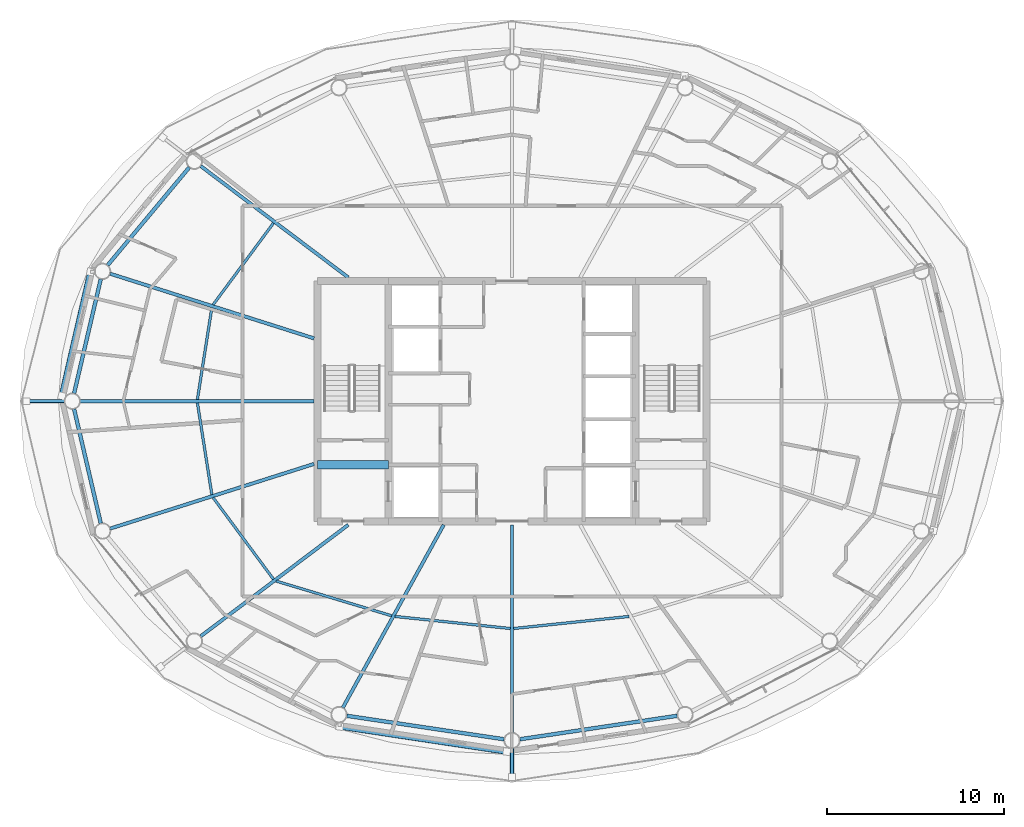
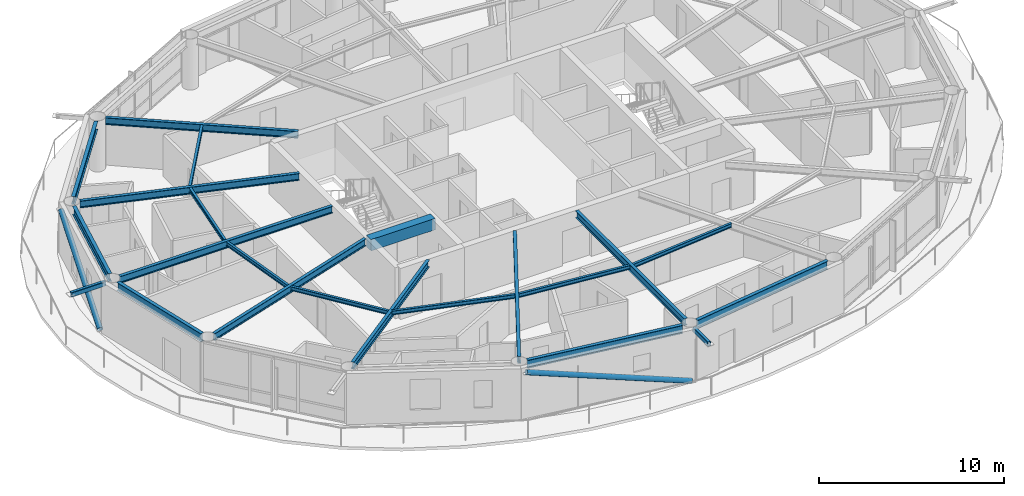
# One storey, part 4 of 23: 20 beams, 4 members.
"""IFC4 building model written with IfcOpenShell, lengths in metres."""

from ifc_helpers import new_model, si_unit, direction, frame, origin, origin_2d, place, context, subcontext, project, spatial, rectangle, hollow_rectangle, hollow_circle, i_section, extrude, material, material_profile, profile_set, type_object, element, save


model = new_model("IFC4")

# Units and contexts
model_context = context("Model", 3, precision=1e-05, world=origin(), true_north=direction((0.0, 1.0)))
body_context = subcontext(model_context, "Body", "Model", "MODEL_VIEW")
ifc_project = project(units=[si_unit("LENGTHUNIT", "METRE"), si_unit("AREAUNIT", "SQUARE_METRE"), si_unit("VOLUMEUNIT", "CUBIC_METRE"), si_unit("PLANEANGLEUNIT", "RADIAN"), si_unit("MASSUNIT", "GRAM", prefix="KILO")], contexts=[model_context])

# Site, building, storey
site_placement = place(None, origin())
site = spatial("IfcSite", under=ifc_project, at=site_placement, CompositionType="ELEMENT")
building_placement = place(site_placement, origin())
building = spatial("IfcBuilding", under=site, at=building_placement, Name="Sarneth Arch Tower", CompositionType="ELEMENT")
storey_placement = place(building_placement, frame((0.0, 0.0, 217.199951171875)))
storey = spatial("IfcBuildingStorey", under=building, at=storey_placement, Name="L55", CompositionType="ELEMENT", Elevation=217.199951171875)

# Beams
ifc_material_1 = material(Name="Steel S355", Category="steel")
ifc_material_profile_1 = material_profile(ifc_material_1, i_section(OverallWidth=0.14794921875, OverallDepth=0.26611328125, WebThickness=0.007568359375, FlangeThickness=0.012939453125, FilletRadius=0.012939453125, at=origin_2d()), Name="W250x44.8")
ifc_profile_set_1 = profile_set([ifc_material_profile_1], Name="Steel S355")
beam_type_1 = type_object("IfcBeamType", Name="BM-JOIST-250", PredefinedType="JOIST", material=ifc_profile_set_1)
beam_1_placement = place(storey_placement, frame((34.5009765625, 52.075439453125, 3.22705078125), z_axis=(-0.594557229879, -0.804053294501, 0.0), x_axis=(0.804053294501, -0.594557229879, 0.0)))
element("IfcBeam", 1, at=beam_1_placement, inside=storey, type_object=beam_type_1, Name="L55 Secondary floor joist 07", PredefinedType="JOIST", context=body_context, shape_type="SweptSolid", body=[
    extrude(i_section(OverallWidth=0.14794921875, OverallDepth=0.26611328125, WebThickness=0.007568359375, FlangeThickness=0.012939453125, FilletRadius=0.012939453125, at=origin_2d()), origin(), (0.0, 0.0, 1.0), 5.74169921875),
])
for number, where, z_axis, x_axis, name in (
    (2, (31.01513671875, 47.286865234375, 3.22705078125), (-0.155421095795, -0.987848309702, 0.0), (0.987848309702, -0.155421095795, 0.0), "L55 Secondary floor joist 08"),
    (3, (30.1982421875, 41.9052734375, 3.22705078125), (0.155421095795, -0.987848309702, 0.0), (0.987848309702, 0.155421095795, 0.0), "L55 Secondary floor joist 09"),
):
    element("IfcBeam", number, at=place(storey_placement, frame(where, z_axis=z_axis, x_axis=x_axis)), inside=storey, type_object=beam_type_1, Name=name, PredefinedType="JOIST", context=body_context, shape_type="SweptSolid", body=[
        extrude(i_section(OverallWidth=0.14794921875, OverallDepth=0.26611328125, WebThickness=0.007568359375, FlangeThickness=0.012939453125, FilletRadius=0.012939453125, at=origin_2d()), origin(), (0.0, 0.0, 1.0), 5.256103515625),
    ])
beam_2_placement = place(storey_placement, frame((31.087158203125, 36.541259765625, 3.22705078125), z_axis=(0.594557229879, -0.804053294501, 0.0), x_axis=(0.804053294501, 0.594557229879, 0.0)))
element("IfcBeam", 4, at=beam_2_placement, inside=storey, type_object=beam_type_1, Name="L55 Secondary floor joist 10", PredefinedType="JOIST", context=body_context, shape_type="SweptSolid", body=[
    extrude(i_section(OverallWidth=0.14794921875, OverallDepth=0.26611328125, WebThickness=0.007568359375, FlangeThickness=0.012939453125, FilletRadius=0.012939453125, at=origin_2d()), origin(), (0.0, 0.0, 1.0), 5.74169921875),
])
beam_3_placement = place(storey_placement, frame((34.64990234375, 31.81982421875, 3.22705078125), z_axis=(0.957725851155, -0.287682453461, 0.0), x_axis=(0.287682453461, 0.957725851155, 0.0)))
element("IfcBeam", 5, at=beam_3_placement, inside=storey, type_object=beam_type_1, Name="L55 Secondary floor joist 11", PredefinedType="JOIST", context=body_context, shape_type="SweptSolid", body=[
    extrude(i_section(OverallWidth=0.14794921875, OverallDepth=0.26611328125, WebThickness=0.007568359375, FlangeThickness=0.012939453125, FilletRadius=0.012939453125, at=origin_2d()), origin(), (0.0, 0.0, 1.0), 6.828125),
])
for number, where, z_axis, x_axis, name in (
    (6, (41.376953125, 29.81787109375, 3.22705078125), (0.994572713015, -0.104043829835, 0.0), (0.104043829835, 0.994572713015, 0.0), "L55 Secondary floor joist 12"),
    (7, (48.095458984375, 29.135009765625, 3.22705078125), (0.994572713015, 0.104043829835, 0.0), (-0.104043829835, 0.994572713015, 0.0), "L55 Secondary floor joist 13"),
):
    element("IfcBeam", number, at=place(storey_placement, frame(where, z_axis=z_axis, x_axis=x_axis)), inside=storey, type_object=beam_type_1, Name=name, PredefinedType="JOIST", context=body_context, shape_type="SweptSolid", body=[
        extrude(i_section(OverallWidth=0.14794921875, OverallDepth=0.26611328125, WebThickness=0.007568359375, FlangeThickness=0.012939453125, FilletRadius=0.012939453125, at=origin_2d()), origin(), (0.0, 0.0, 1.0), 6.563232421875),
    ])
ifc_material_2 = material(Name="Concrete C50/60", Category="concrete")
ifc_material_profile_2 = material_profile(ifc_material_2, rectangle(XDim=0.5, YDim=0.75, at=origin_2d()), Name="RC-500x750")
ifc_profile_set_2 = profile_set([ifc_material_profile_2], Name="Concrete C50/60")
beam_type_2 = type_object("IfcBeamType", Name="BM-LINTEL-RC", PredefinedType="LINTEL", material=ifc_profile_set_2)
beam_4_placement = place(storey_placement, frame((37.0, 38.39990234375, 2.985107421875), z_axis=(1.0, 0.0, 0.0), x_axis=(0.0, 1.0, 0.0)))
element("IfcBeam", 8, at=beam_4_placement, inside=storey, type_object=beam_type_2, Name="L55 Core coupling lintel W", PredefinedType="LINTEL", context=body_context, shape_type="SweptSolid", body=[
    extrude(rectangle(XDim=0.5, YDim=0.75, at=origin_2d()), origin(), (0.0, 0.0, 1.0), 4.0),
])
ifc_material_3 = material(Name="Steel S355", Category="steel")
ifc_material_profile_3 = material_profile(ifc_material_3, i_section(OverallWidth=0.19189453125, OverallDepth=0.462890625, WebThickness=0.010498046875, FlangeThickness=0.017578125, FilletRadius=0.01806640625, at=origin_2d()), Name="W460x89")
ifc_profile_set_3 = profile_set([ifc_material_profile_3], Name="Steel S355")
beam_type_3 = type_object("IfcBeamType", Name="BM-RAD-460B", PredefinedType="BEAM", material=ifc_profile_set_3)
beam_5_placement = place(storey_placement, frame((38.73193359375, 49.0, 3.128662109375), z_axis=(-0.79797356997, 0.602692443647, 0.0), x_axis=(-0.602692443647, -0.79797356997, 0.0)))
element("IfcBeam", 9, at=beam_5_placement, inside=storey, type_object=beam_type_3, Name="L55 Radial floor girder 07", PredefinedType="BEAM", context=body_context, shape_type="SweptSolid", body=[
    extrude(i_section(OverallWidth=0.19189453125, OverallDepth=0.462890625, WebThickness=0.010498046875, FlangeThickness=0.017578125, FilletRadius=0.01806640625, at=origin_2d()), origin(), (0.0, 0.0, 1.0), 10.461669921875),
])
beam_6_placement = place(storey_placement, frame((36.800048828125, 45.5517578125, 3.128662109375), z_axis=(-0.953215615433, 0.302291234563, 0.0), x_axis=(-0.302291234563, -0.953215615433, 0.0)))
element("IfcBeam", 10, at=beam_6_placement, inside=storey, type_object=beam_type_3, Name="L55 Radial floor girder 08", PredefinedType="BEAM", context=body_context, shape_type="SweptSolid", body=[
    extrude(i_section(OverallWidth=0.19189453125, OverallDepth=0.462890625, WebThickness=0.010498046875, FlangeThickness=0.017578125, FilletRadius=0.01806640625, at=origin_2d()), origin(), (0.0, 0.0, 1.0), 12.1064453125),
])
beam_7_placement = place(storey_placement, frame((36.800048828125, 42.0, 3.128662109375), z_axis=(-1.0, 0.0, 0.0), x_axis=(0.0, -1.0, 0.0)))
element("IfcBeam", 11, at=beam_7_placement, inside=storey, type_object=beam_type_3, Name="L55 Radial floor girder 09", PredefinedType="BEAM", context=body_context, shape_type="SweptSolid", body=[
    extrude(i_section(OverallWidth=0.19189453125, OverallDepth=0.462890625, WebThickness=0.010498046875, FlangeThickness=0.017578125, FilletRadius=0.01806640625, at=origin_2d()), origin(), (0.0, 0.0, 1.0), 13.233154296875),
])
beam_8_placement = place(storey_placement, frame((36.800048828125, 38.4482421875, 3.128662109375), z_axis=(-0.953215615433, -0.302291234563, 0.0), x_axis=(0.302291234563, -0.953215615433, 0.0)))
element("IfcBeam", 12, at=beam_8_placement, inside=storey, type_object=beam_type_3, Name="L55 Radial floor girder 10", PredefinedType="BEAM", context=body_context, shape_type="SweptSolid", body=[
    extrude(i_section(OverallWidth=0.19189453125, OverallDepth=0.462890625, WebThickness=0.010498046875, FlangeThickness=0.017578125, FilletRadius=0.01806640625, at=origin_2d()), origin(), (0.0, 0.0, 1.0), 12.1064453125),
])
beam_9_placement = place(storey_placement, frame((38.73193359375, 35.0, 3.128662109375), z_axis=(-0.79797356997, -0.602692443647, 0.0), x_axis=(0.602692443647, -0.79797356997, 0.0)))
element("IfcBeam", 13, at=beam_9_placement, inside=storey, type_object=beam_type_3, Name="L55 Radial floor girder 11", PredefinedType="BEAM", context=body_context, shape_type="SweptSolid", body=[
    extrude(i_section(OverallWidth=0.19189453125, OverallDepth=0.462890625, WebThickness=0.010498046875, FlangeThickness=0.017578125, FilletRadius=0.01806640625, at=origin_2d()), origin(), (0.0, 0.0, 1.0), 10.461669921875),
])
beam_10_placement = place(storey_placement, frame((44.13623046875, 35.0, 3.128662109375), z_axis=(-0.483218265038, -0.875499919094, 0.0), x_axis=(0.875499919094, -0.483218265038, 0.0)))
element("IfcBeam", 14, at=beam_10_placement, inside=storey, type_object=beam_type_3, Name="L55 Radial floor girder 12", PredefinedType="BEAM", context=body_context, shape_type="SweptSolid", body=[
    extrude(i_section(OverallWidth=0.19189453125, OverallDepth=0.462890625, WebThickness=0.010498046875, FlangeThickness=0.017578125, FilletRadius=0.01806640625, at=origin_2d()), origin(), (0.0, 0.0, 1.0), 11.8154296875),
])
beam_11_placement = place(storey_placement, frame((48.0, 35.0, 3.128662109375), z_axis=(0.0, -1.0, 0.0), x_axis=(1.0, 0.0, 0.0)))
element("IfcBeam", 15, at=beam_11_placement, inside=storey, type_object=beam_type_3, Name="L55 Radial floor girder 13", PredefinedType="BEAM", context=body_context, shape_type="SweptSolid", body=[
    extrude(i_section(OverallWidth=0.19189453125, OverallDepth=0.462890625, WebThickness=0.010498046875, FlangeThickness=0.017578125, FilletRadius=0.01806640625, at=origin_2d()), origin(), (0.0, 0.0, 1.0), 11.75),
])
ifc_material_4 = material(Name="Steel S355", Category="steel")
ifc_material_profile_4 = material_profile(ifc_material_4, i_section(OverallWidth=0.2109375, OverallDepth=0.5390625, WebThickness=0.01171875, FlangeThickness=0.018798828125, FilletRadius=0.01806640625, at=origin_2d()), Name="W530x109")
ifc_profile_set_4 = profile_set([ifc_material_profile_4], Name="Steel S355")
beam_type_4 = type_object("IfcBeamType", Name="BM-RAD-530B", PredefinedType="BEAM", material=ifc_profile_set_4)
beam_12_placement = place(storey_placement, frame((29.736572265625, 55.230712890625, 3.090576171875), z_axis=(-0.640390876881, -0.768049168222, 0.0), x_axis=(0.768049168222, -0.640390876881, 0.0)))
element("IfcBeam", 16, at=beam_12_placement, inside=storey, type_object=beam_type_4, Name="L55 Perimeter spandrel beam 07", PredefinedType="BEAM", context=body_context, shape_type="SweptSolid", body=[
    extrude(i_section(OverallWidth=0.2109375, OverallDepth=0.5390625, WebThickness=0.01171875, FlangeThickness=0.018798828125, FilletRadius=0.01806640625, at=origin_2d()), origin(), (0.0, 0.0, 1.0), 7.2099609375),
])
for number, where, z_axis, x_axis, name in (
    (17, (24.72900390625, 48.9091796875, 3.090576171875), (-0.227247037844, -0.973837144389, 0.0), (0.973837144389, -0.227247037844, 0.0), "L55 Perimeter spandrel beam 08"),
    (18, (23.218994140625, 41.561767578125, 3.090576171875), (0.227247037844, -0.973837144389, 0.0), (0.973837144389, 0.227247037844, 0.0), "L55 Perimeter spandrel beam 09"),
):
    element("IfcBeam", number, at=place(storey_placement, frame(where, z_axis=z_axis, x_axis=x_axis)), inside=storey, type_object=beam_type_4, Name=name, PredefinedType="BEAM", context=body_context, shape_type="SweptSolid", body=[
        extrude(i_section(OverallWidth=0.2109375, OverallDepth=0.5390625, WebThickness=0.01171875, FlangeThickness=0.018798828125, FilletRadius=0.01806640625, at=origin_2d()), origin(), (0.0, 0.0, 1.0), 6.644775390625),
    ])
for number, where, z_axis, x_axis, name in (
    (19, (38.654296875, 24.195068359375, 3.090576171875), (0.989041765772, -0.147635990052, 0.0), (0.147635990052, 0.989041765772, 0.0), "L55 Perimeter spandrel beam 12"),
    (20, (48.445068359375, 22.866455078125, 3.090576171875), (0.989041765772, 0.147635990052, 0.0), (-0.147635990052, 0.989041765772, 0.0), "L55 Perimeter spandrel beam 13"),
):
    element("IfcBeam", number, at=place(storey_placement, frame(where, z_axis=z_axis, x_axis=x_axis)), inside=storey, type_object=beam_type_4, Name=name, PredefinedType="BEAM", context=body_context, shape_type="SweptSolid", body=[
        extrude(i_section(OverallWidth=0.2109375, OverallDepth=0.5390625, WebThickness=0.01171875, FlangeThickness=0.018798828125, FilletRadius=0.01806640625, at=origin_2d()), origin(), (0.0, 0.0, 1.0), 8.999267578125),
    ])

# Members
ifc_material_5 = material(Name="Steel S355", Category="steel")
ifc_material_profile_5 = material_profile(ifc_material_5, hollow_rectangle(XDim=0.199951171875, YDim=0.300048828125, WallThickness=0.012451171875, InnerFilletRadius=0.018798828125, OuterFilletRadius=0.03125, at=origin_2d()), Name="RHS300x200x12.5")
ifc_profile_set_5 = profile_set([ifc_material_profile_5], Name="Steel S355")
member_type_1 = type_object("IfcMemberType", Name="MEM-CANT-STRUT", PredefinedType="STRUT", material=ifc_profile_set_5)
member_1_placement = place(storey_placement, frame((22.666748046875, 42.0, 3.199951171875), z_axis=(-1.0, 0.0, 0.0), x_axis=(0.0, -1.0, 0.0)))
element("IfcMember", 21, at=member_1_placement, inside=storey, type_object=member_type_1, Name="L55 Balcony cantilever bracket 09", PredefinedType="STRUT", context=body_context, shape_type="SweptSolid", body=[
    extrude(hollow_rectangle(XDim=0.199951171875, YDim=0.300048828125, WallThickness=0.012451171875, InnerFilletRadius=0.018798828125, OuterFilletRadius=0.03125, at=origin_2d()), origin(), (0.0, 0.0, 1.0), 2.136474609375),
])
member_2_placement = place(storey_placement, frame((48.0, 22.35009765625, 3.199951171875), z_axis=(0.0, -1.0, 0.0), x_axis=(1.0, 0.0, 0.0)))
element("IfcMember", 22, at=member_2_placement, inside=storey, type_object=member_type_1, Name="L55 Balcony cantilever bracket 13", PredefinedType="STRUT", context=body_context, shape_type="SweptSolid", body=[
    extrude(hollow_rectangle(XDim=0.199951171875, YDim=0.300048828125, WallThickness=0.012451171875, InnerFilletRadius=0.018798828125, OuterFilletRadius=0.03125, at=origin_2d()), origin(), (0.0, 0.0, 1.0), 1.613525390625),
])
ifc_material_6 = material(Name="Steel S355", Category="steel")
ifc_material_profile_6 = material_profile(ifc_material_6, hollow_circle(Radius=0.162109375, WallThickness=0.012451171875, at=origin_2d()), Name="CHS324x12.5")
ifc_profile_set_6 = profile_set([ifc_material_profile_6], Name="Steel S355")
member_type_2 = type_object("IfcMemberType", Name="MEM-DIAG-BR3", PredefinedType="BRACE", material=ifc_profile_set_6)
member_3_placement = place(storey_placement, frame((22.5234375, 42.292236328125, 0.02001953125), z_axis=(0.207917989892, 0.898749333617, 0.386030756289), x_axis=(-0.974268900284, 0.225388797281, 0.0)))
element("IfcMember", 23, at=member_3_placement, inside=storey, type_object=member_type_2, Name="L55 Perimeter frame diagonal 08", PredefinedType="BRACE", context=body_context, shape_type="SweptSolid", body=[
    extrude(hollow_circle(Radius=0.162109375, WallThickness=0.012451171875, at=origin_2d()), origin(), (0.0, 0.0, 1.0), 7.814453125),
])
member_4_placement = place(storey_placement, frame((47.703369140625, 22.16455078125, 0.02001953125), z_axis=(-0.943056107878, 0.142001297879, 0.300800280576), x_axis=(-0.148897148305, -0.988852688335, 0.0)))
element("IfcMember", 24, at=member_4_placement, inside=storey, type_object=member_type_2, Name="L55 Perimeter frame diagonal 12", PredefinedType="BRACE", context=body_context, shape_type="SweptSolid", body=[
    extrude(hollow_circle(Radius=0.162109375, WallThickness=0.012451171875, at=origin_2d()), origin(), (0.0, 0.0, 1.0), 10.028564453125),
])

save(model, "model.ifc")
